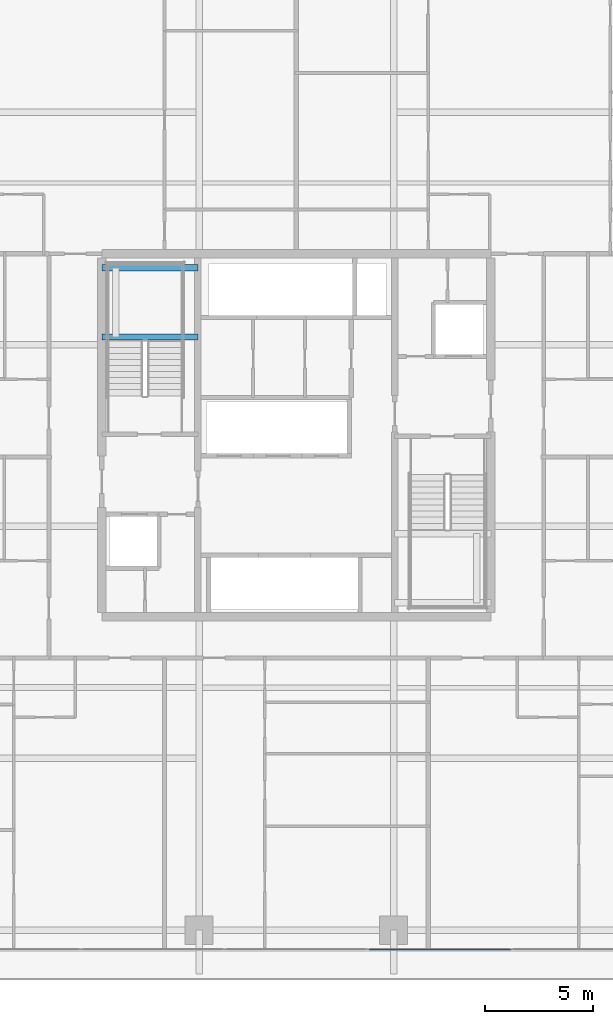
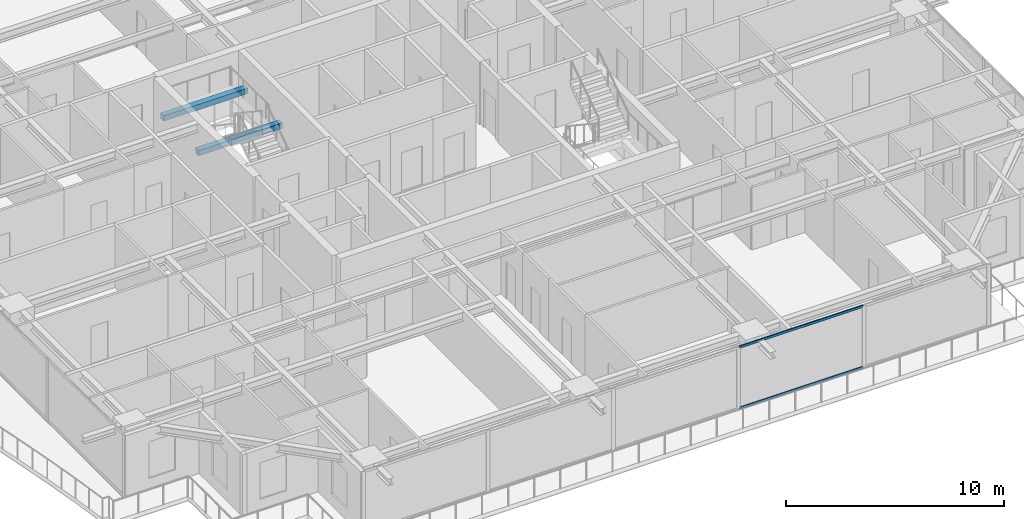
# One storey, part 11 of 38: 2 beams, 2 members, 1 element without a shape of its own.
"""IFC4 building model written with IfcOpenShell, lengths in metres."""

import ifcopenshell
import ifcopenshell.guid

model = None  # the IFC model being written
_history = None  # IfcOwnerHistory: only IFC2X3 demands one
_inside = {}  # id of a spatial element -> (the spatial element, [elements in it])
_under = {}  # id of a project, library or spatial element -> (it, [spatial elements below it])
_declared = {}  # id of a project -> (the project, [libraries it declares])
_typed = {}  # id of a type object -> (the type object, [elements of that type])
_made_of = {}  # id of a material, layer set ... -> (it, [elements and type objects made of it])


def new_model(schema):
    """Start an empty IFC model of exactly this schema.

    Asked for "IFC4X3", IfcOpenShell would pick the latest addendum, in which some entities
    have other attributes; the version numbers below select the first issue.
    IFC2X3 requires an IfcOwnerHistory on every rooted entity: one is made here for all.
    """
    global model, _history
    if schema == "IFC4X3":
        model = ifcopenshell.file(schema_version=(4, 3, 0, 0))
    else:
        model = ifcopenshell.file(schema=schema)
    _inside.clear()
    _under.clear()
    _declared.clear()
    _typed.clear()
    _made_of.clear()
    _history = None
    if model.schema == "IFC2X3":
        org = make("IfcOrganization", Name="unknown")
        user = make(
            "IfcPersonAndOrganization",
            ThePerson=make("IfcPerson", FamilyName="unknown"),
            TheOrganization=org,
        )
        app = make(
            "IfcApplication",
            ApplicationDeveloper=org,
            Version="unknown",
            ApplicationFullName="unknown",
            ApplicationIdentifier="unknown",
        )
        _history = make(
            "IfcOwnerHistory",
            OwningUser=user,
            OwningApplication=app,
            ChangeAction="ADDED",
            CreationDate=0,
        )
    return model


def make(cls, **values):
    """One entity of the class cls with the attributes given. An attribute that is None is left unset."""
    return model.create_entity(
        cls, **{name: value for name, value in values.items() if value is not None}
    )


def rooted(cls, **values):
    """An entity with a GlobalId (a new one), such as an element, a storey or a relation."""
    return make(cls, GlobalId=ifcopenshell.guid.new(), OwnerHistory=_history, **values)


def si_unit(unit_type, name, prefix=None):
    """IfcSIUnit, for example si_unit("LENGTHUNIT", "METRE", prefix="MILLI")."""
    return make("IfcSIUnit", UnitType=unit_type, Prefix=prefix, Name=name)


def assignment(units):
    """IfcUnitAssignment: the units of a project."""
    return None if units is None else make("IfcUnitAssignment", Units=units)


def point(xyz):
    """IfcCartesianPoint."""
    return None if xyz is None else make("IfcCartesianPoint", Coordinates=xyz)


def direction(xyz):
    """IfcDirection."""
    return None if xyz is None else make("IfcDirection", DirectionRatios=xyz)


def frame(location, z_axis=None, x_axis=None):
    """IfcAxis2Placement3D, a coordinate frame: its origin and axes. An axis left out is left unset."""
    return make(
        "IfcAxis2Placement3D",
        Location=point(location),
        Axis=direction(z_axis),
        RefDirection=direction(x_axis),
    )


def frame_2d(location, x_axis=None):
    """IfcAxis2Placement2D, a coordinate frame in the plane: its origin and x axis."""
    return make(
        "IfcAxis2Placement2D", Location=point(location), RefDirection=direction(x_axis)
    )


def origin():
    """The frame at (0, 0, 0) with its axes left unset."""
    return frame((0.0, 0.0, 0.0))


def origin_2d():
    """The frame at (0, 0) in the plane with its x axis left unset."""
    return frame_2d((0.0, 0.0))


def place(relative_to, where):
    """IfcLocalPlacement: puts the frame where relative to a parent placement (None: the world)."""
    return make(
        "IfcLocalPlacement", PlacementRelTo=relative_to, RelativePlacement=where
    )


def context(
    kind, dimensions, precision=None, world=None, true_north=None, identifier=None
):
    """IfcGeometricRepresentationContext, for example the 3D "Model" context."""
    return make(
        "IfcGeometricRepresentationContext",
        ContextIdentifier=identifier,
        ContextType=kind,
        CoordinateSpaceDimension=dimensions,
        Precision=precision,
        WorldCoordinateSystem=world,
        TrueNorth=true_north,
    )


def subcontext(parent, identifier, kind, view, scale=None):
    """IfcGeometricRepresentationSubContext, for example "Body" below "Model"."""
    return make(
        "IfcGeometricRepresentationSubContext",
        ContextIdentifier=identifier,
        ContextType=kind,
        ParentContext=parent,
        TargetScale=scale,
        TargetView=view,
    )


def project(units=None, contexts=None):
    """IfcProject with its units and contexts."""
    return rooted(
        "IfcProject",
        Name="project",
        RepresentationContexts=contexts,
        UnitsInContext=assignment(units),
    )


def spatial(cls, under=None, at=None, **own):
    """A site, building, storey or space (cls), placed at a placement, below another one or the project."""
    s = rooted(cls, ObjectPlacement=at, **own)
    if under is not None:
        _under.setdefault(under.id(), (under, []))[1].append(s)
    return s


def profile(cls, at=None, kind="AREA", **sizes):
    """A parametric profile (cls). Its sizes go by their IFC names, for example OverallWidth=200.0."""
    return make(cls, ProfileType=kind, Position=at, **sizes)


def rectangle(**sizes):
    """IfcRectangleProfileDef."""
    return profile("IfcRectangleProfileDef", **sizes)


def hollow_rectangle(**sizes):
    """IfcRectangleHollowProfileDef."""
    return profile("IfcRectangleHollowProfileDef", **sizes)


def extrude(swept, where, along, depth):
    """IfcExtrudedAreaSolid: the profile swept, set in the frame where, extruded along a direction by depth."""
    return make(
        "IfcExtrudedAreaSolid",
        SweptArea=swept,
        Position=where,
        ExtrudedDirection=direction(along),
        Depth=depth,
    )


def shape(context_of_items, identifier, shape_type, items):
    """IfcShapeRepresentation: the items that make up one representation, for example the "Body"."""
    return make(
        "IfcShapeRepresentation",
        ContextOfItems=context_of_items,
        RepresentationIdentifier=identifier,
        RepresentationType=shape_type,
        Items=items,
    )


def source(mapping_origin, context_of_items, identifier, shape_type, items):
    """IfcRepresentationMap: a shape defined once, which mapped items show again and again."""
    return make(
        "IfcRepresentationMap",
        MappingOrigin=mapping_origin,
        MappedRepresentation=shape(context_of_items, identifier, shape_type, items),
    )


def transform(
    local_origin,
    x_axis=None,
    y_axis=None,
    z_axis=None,
    scale=None,
    scale2=None,
    scale3=None,
    uniform=True,
):
    """IfcCartesianTransformationOperator3D, or its non-uniform kind. x_axis, y_axis, z_axis: its Axis1, 2, 3."""
    if uniform:
        return make(
            "IfcCartesianTransformationOperator3D",
            Axis1=direction(x_axis),
            Axis2=direction(y_axis),
            LocalOrigin=point(local_origin),
            Scale=scale,
            Axis3=direction(z_axis),
        )
    return make(
        "IfcCartesianTransformationOperator3DnonUniform",
        Axis1=direction(x_axis),
        Axis2=direction(y_axis),
        LocalOrigin=point(local_origin),
        Scale=scale,
        Axis3=direction(z_axis),
        Scale2=scale2,
        Scale3=scale3,
    )


def mapped(mapping_source, mapping_target):
    """IfcMappedItem: shows the shape of a source again, moved by a transform."""
    return make(
        "IfcMappedItem", MappingSource=mapping_source, MappingTarget=mapping_target
    )


def material(Name=None, Category=None):
    """IfcMaterial."""
    return make("IfcMaterial", Name=Name, Category=Category)


def layer(
    of_material, thickness, ventilated=None, Name=None, Category=None, Priority=None
):
    """IfcMaterialLayer: one layer of a wall or slab, of a material (None: an air gap)."""
    return make(
        "IfcMaterialLayer",
        Material=of_material,
        LayerThickness=thickness,
        IsVentilated=ventilated,
        Name=Name,
        Category=Category,
        Priority=Priority,
    )


def layer_set(layers, Name=None):
    """IfcMaterialLayerSet."""
    return make("IfcMaterialLayerSet", MaterialLayers=layers, LayerSetName=Name)


def material_profile(
    of_material, cross_section, Name=None, Category=None, Priority=None
):
    """IfcMaterialProfile: a cross section and its material."""
    return make(
        "IfcMaterialProfile",
        Name=Name,
        Material=of_material,
        Profile=cross_section,
        Priority=Priority,
        Category=Category,
    )


def profile_set(profiles, Name=None, composite=None):
    """IfcMaterialProfileSet."""
    return make(
        "IfcMaterialProfileSet",
        Name=Name,
        MaterialProfiles=profiles,
        CompositeProfile=composite,
    )


def made_of(thing, what):
    """Note that an element or type object is made of a material, layer set ...; save() writes the relation."""
    if what is not None:
        _made_of.setdefault(what.id(), (what, []))[1].append(thing)
    return thing


def type_object(cls, material=None, **own):
    """A type object (cls), such as IfcWallType, which elements share."""
    return made_of(rooted(cls, **own), material)


def element(
    cls,
    number,
    at=None,
    inside=None,
    cuts=None,
    type_object=None,
    material=None,
    context=None,
    identifier="Body",
    shape_type=None,
    held_by="IfcProductDefinitionShape",
    body=None,
    shapes=None,
    **own,
):
    """One element of the class cls, such as IfcWall. Its Tag is "e" and its number.

    at: its placement. inside: the storey or other place that contains it. cuts: it is an
    opening in that element (IfcRelVoidsElement). A single representation is given by context,
    identifier, shape_type and body (its items); several are given by shapes. held_by: the class
    of the entity that holds the representations. save() writes the other relations.
    """
    e = rooted(cls, Tag="e%d" % number, ObjectPlacement=at, **own)
    if body is not None:
        shapes = [shape(context, identifier, shape_type, body)]
    if shapes is not None:
        e.Representation = make(held_by, Representations=shapes)
    if inside is not None:
        _inside.setdefault(inside.id(), (inside, []))[1].append(e)
    if cuts is not None:
        rooted(
            "IfcRelVoidsElement", RelatingBuildingElement=cuts, RelatedOpeningElement=e
        )
    if type_object is not None:
        _typed.setdefault(type_object.id(), (type_object, []))[1].append(e)
    return made_of(e, material)


def aggregate(whole, parts):
    """IfcRelAggregates: a whole, such as a stair, and the parts it consists of."""
    return rooted("IfcRelAggregates", RelatingObject=whole, RelatedObjects=parts)


def save(model, path):
    """Write the relations noted so far, then the file.

    IfcRelAggregates (storeys below a building ...), IfcRelContainedInSpatialStructure (elements
    in a storey), IfcRelDefinesByType, IfcRelAssociatesMaterial and IfcRelDeclares: one each for
    every whole, place, type object, material and project.
    """
    for whole, parts in _under.values():
        aggregate(whole, parts)
    for where, things in _inside.values():
        rooted(
            "IfcRelContainedInSpatialStructure",
            RelatedElements=things,
            RelatingStructure=where,
        )
    for kind, things in _typed.values():
        rooted("IfcRelDefinesByType", RelatedObjects=things, RelatingType=kind)
    for what, things in _made_of.values():
        rooted("IfcRelAssociatesMaterial", RelatedObjects=things, RelatingMaterial=what)
    for by, libraries in _declared.values():
        rooted("IfcRelDeclares", RelatingContext=by, RelatedDefinitions=libraries)
    model.write(path)


model = new_model("IFC4")

# Units and contexts
model_context = context("Model", 3, precision=1e-05, world=origin(), true_north=direction((0.0, 1.0)))
body_context = subcontext(model_context, "Body", "Model", "MODEL_VIEW")
ifc_project = project(units=[si_unit("LENGTHUNIT", "METRE"), si_unit("AREAUNIT", "SQUARE_METRE"), si_unit("VOLUMEUNIT", "CUBIC_METRE"), si_unit("PLANEANGLEUNIT", "RADIAN"), si_unit("MASSUNIT", "GRAM", prefix="KILO")], contexts=[model_context])

# Site, building, storey
site_placement = place(None, origin())
site = spatial("IfcSite", under=ifc_project, at=site_placement, CompositionType="ELEMENT")
building_placement = place(site_placement, origin())
building = spatial("IfcBuilding", under=site, at=building_placement, Name="Serunith Strait Residences", CompositionType="ELEMENT")
storey_placement = place(building_placement, frame((0.0, 0.0, 120.14990234375)))
storey = spatial("IfcBuildingStorey", under=building, at=storey_placement, Name="L29", CompositionType="ELEMENT", Elevation=120.14990234375)

# Beams
ifc_material_1 = material(Name="Concrete C60/75", Category="concrete")
ifc_material_profile_1 = material_profile(ifc_material_1, rectangle(XDim=0.300048828125, YDim=0.300048828125, at=origin_2d()), Name="RC 300x300")
ifc_profile_set_1 = profile_set([ifc_material_profile_1], Name="Concrete C60/75")
beam_type = type_object("IfcBeamType", Name="BM-LAND-300x300", PredefinedType="BEAM", material=ifc_profile_set_1)
shared_shape_1 = source(origin(), body_context, "Body", "SweptSolid", [
    extrude(rectangle(XDim=0.300048828125, YDim=0.300048828125, at=origin_2d()), origin(), (0.0, 0.0, 1.0), 4.4501953125),
])
for number, where, z_axis, x_axis, name in (
    (1, (23.39990234375, 29.75, 1.525146484375), (1.0, 0.0, 0.0), (0.0, 1.0, 0.0), "L29 ST-1 Landing Support Beam 1"),
    (2, (23.39990234375, 32.949951171875, 1.525146484375), (1.0, 0.0, 0.0), (0.0, 1.0, 0.0), "L29 ST-1 Landing Support Beam 2"),
):
    element("IfcBeam", number, at=place(storey_placement, frame(where, z_axis=z_axis, x_axis=x_axis)), inside=storey, type_object=beam_type, Name=name, PredefinedType="BEAM", context=body_context, shape_type="MappedRepresentation", body=[
        mapped(shared_shape_1, transform((0.0, 0.0, 0.0), scale=1.0)),
    ])

# Curtain wall, members
ifc_material_2 = material(Name="Pale-Champagne Anodised Aluminium", Category="aluminium")
ifc_layer = layer(ifc_material_2, 0.199951171875, Name="Pale-Champagne Anodised Aluminium")
ifc_layer_set = layer_set([ifc_layer], Name="Pale-Champagne Anodised Aluminium")
curtain_wall_type = type_object("IfcCurtainWallType", Name="CW-SYS2", PredefinedType="NOTDEFINED", material=ifc_layer_set)
curtain_wall_placement = place(storey_placement, origin())
curtain_wall = element("IfcCurtainWall", 3, at=curtain_wall_placement, inside=storey, type_object=curtain_wall_type, Name="L29 S Unitised Fritted Curtain Wall", PredefinedType="NOTDEFINED")
ifc_material_profile_2 = material_profile(ifc_material_2, hollow_rectangle(XDim=0.06005859375, YDim=0.139892578125, WallThickness=0.00341796875, InnerFilletRadius=0.00537109375, OuterFilletRadius=0.0087890625, at=origin_2d()), Name="ALU 140x60x3.5")
ifc_profile_set_2 = profile_set([ifc_material_profile_2], Name="Pale-Champagne Anodised Aluminium")
member_type = type_object("IfcMemberType", Name="CW-SYS2-TRAN", PredefinedType="USERDEFINED", material=ifc_profile_set_2)
shared_shape_2 = source(origin(), body_context, "Body", "SweptSolid", [
    extrude(hollow_rectangle(XDim=0.06005859375, YDim=0.139892578125, WallThickness=0.00341796875, InnerFilletRadius=0.00537109375, OuterFilletRadius=0.0087890625, at=origin_2d()), origin(), (0.0, 0.0, 1.0), 6.570068359375),
])
member_1_placement = place(storey_placement, frame((35.7548828125, 1.39990234375, 0.030029296875), z_axis=(1.0, 0.0, 0.0), x_axis=(0.0, 1.0, 0.0)))
member_1 = element("IfcMember", 4, at=member_1_placement, type_object=member_type, Name="CW-2 transom 4.1", ObjectType="TRANSOM", PredefinedType="USERDEFINED", context=body_context, shape_type="MappedRepresentation", body=[
    mapped(shared_shape_2, transform((0.0, 0.0, 0.0), scale=1.0)),
])
member_2_placement = place(storey_placement, frame((35.7548828125, 1.39990234375, 3.445068359375), z_axis=(1.0, 0.0, 0.0), x_axis=(0.0, 1.0, 0.0)))
member_2 = element("IfcMember", 5, at=member_2_placement, type_object=member_type, Name="CW-2 transom 4.2", ObjectType="TRANSOM", PredefinedType="USERDEFINED", context=body_context, shape_type="MappedRepresentation", body=[
    mapped(shared_shape_2, transform((0.0, 0.0, 0.0), scale=1.0)),
])
aggregate(curtain_wall, [member_1, member_2])

save(model, "model.ifc")
